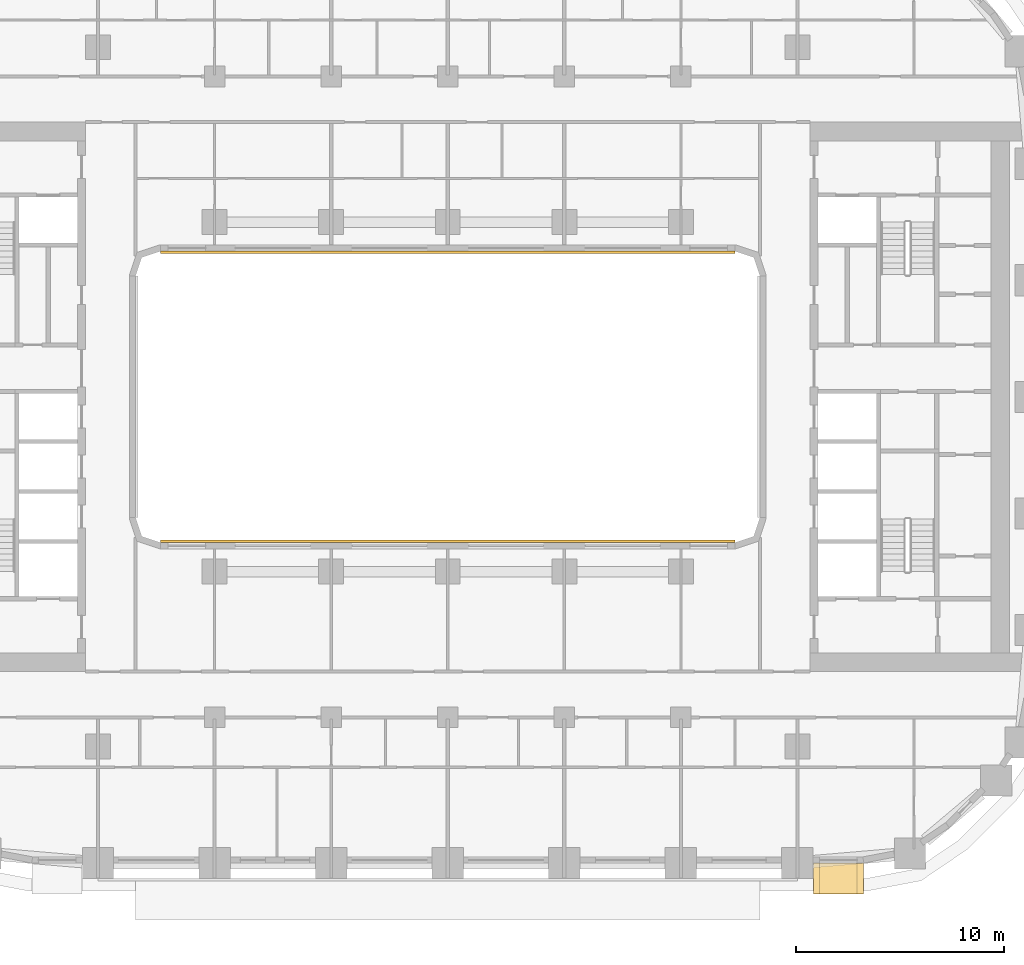
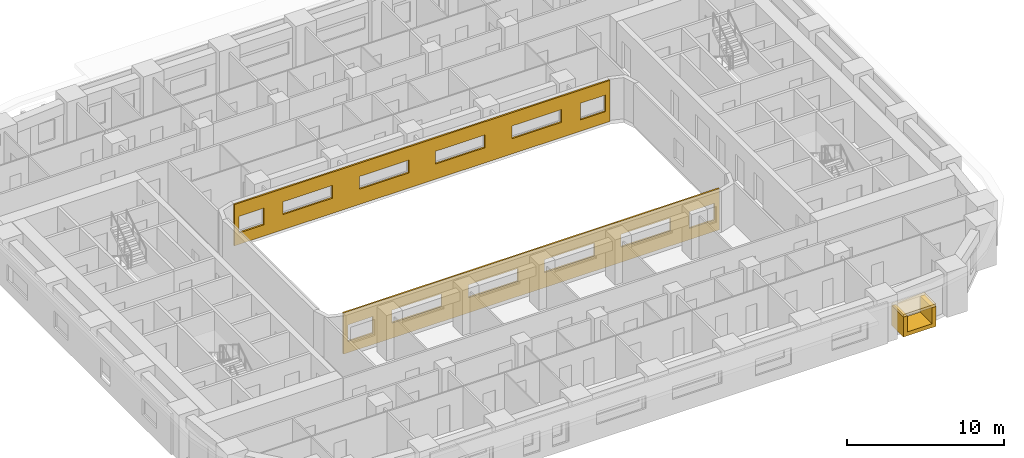
# One storey, part 16 of 22: 4 coverings.
"""IFC4 building model written with IfcOpenShell, lengths in metres."""

from ifc_helpers import new_model, si_unit, direction, frame, origin, origin_2d, place, context, subcontext, project, spatial, polyline, rectangle, outline, extrude, material, layer, layer_set, type_object, element, save


model = new_model("IFC4")

# Units and contexts
model_context = context("Model", 3, precision=1e-05, world=origin(), true_north=direction((0.0, 1.0)))
body_context = subcontext(model_context, "Body", "Model", "MODEL_VIEW")
ifc_project = project(units=[si_unit("LENGTHUNIT", "METRE"), si_unit("AREAUNIT", "SQUARE_METRE"), si_unit("VOLUMEUNIT", "CUBIC_METRE"), si_unit("PLANEANGLEUNIT", "RADIAN"), si_unit("MASSUNIT", "GRAM", prefix="KILO")], contexts=[model_context])

# Site, building, storey
site_placement = place(None, origin())
site = spatial("IfcSite", under=ifc_project, at=site_placement, CompositionType="ELEMENT")
building_placement = place(site_placement, origin())
building = spatial("IfcBuilding", under=site, at=building_placement, Name="Kiln Ring Residences", CompositionType="ELEMENT")
storey_placement = place(building_placement, frame((0.0, 0.0, 44.5)))
storey = spatial("IfcBuildingStorey", under=building, at=storey_placement, Name="L10", CompositionType="ELEMENT", Elevation=44.5)

# Coverings
ifc_material_1 = material(Name="Brick masonry, dark clay brick", Category="masonry")
ifc_layer_1 = layer(ifc_material_1, 0.300048828125)
ifc_layer_set_1 = layer_set([ifc_layer_1], Name="FRAME CHEEKS AND SILL 1500")
covering_type_1 = type_object("IfcCoveringType", Name="FRAME CHEEKS AND SILL 1500", PredefinedType="CLADDING", material=ifc_layer_set_1)
covering_1_placement = place(storey_placement, frame((17.574951171875, -23.14990234375, 0.60009765625), z_axis=(0.0, 0.0, 1.0), x_axis=(1.0, 0.0, 0.0)))
element("IfcCovering", 1, at=covering_1_placement, inside=storey, type_object=covering_type_1, Name="FRAME L10", PredefinedType="CLADDING", context=body_context, shape_type="SweptSolid", body=[
    extrude(outline(polyline([(0.0, 0.0), (2.400146484375, 0.0), (2.39990234375, 1.5498046875), (2.10107421875, 1.5498046875), (2.10009765625, 0.2998046875), (0.300048828125, 0.2998046875), (0.299072265625, 1.5498046875), (0.0, 1.5498046875), (0.0, 0.0)])), frame((0.0, 0.75, 0.0), z_axis=(0.0, -1.0, 0.0), x_axis=(1.0, 0.0, 0.0)), (0.0, 0.0, 1.0), 1.5),
])
ifc_material_2 = material(Name="Brick masonry, dark clay brick", Category="masonry")
ifc_layer_2 = layer(ifc_material_2, 0.199951171875)
ifc_layer_set_2 = layer_set([ifc_layer_2], Name="FRAME HEAD 1500")
covering_type_2 = type_object("IfcCoveringType", Name="FRAME HEAD 1500", PredefinedType="CLADDING", material=ifc_layer_set_2)
covering_2_placement = place(storey_placement, frame((18.77490234375, -23.14990234375, 2.14990234375), z_axis=(0.0, 0.0, 1.0), x_axis=(1.0, 0.0, 0.0)))
element("IfcCovering", 2, at=covering_2_placement, inside=storey, type_object=covering_type_2, Name="FRAME HEAD L10", PredefinedType="CLADDING", context=body_context, shape_type="SweptSolid", body=[
    extrude(rectangle(XDim=2.39990234375, YDim=1.5, at=origin_2d()), origin(), (0.0, 0.0, 1.0), 0.199951171875),
])
ifc_material_3 = material(Name="Brick masonry, dark clay brick", Category="masonry")
ifc_layer_3 = layer(ifc_material_3, 0.1201171875)
ifc_layer_set_3 = layer_set([ifc_layer_3], Name="RAINSCREEN PANEL 120")
covering_type_3 = type_object("IfcCoveringType", Name="RAINSCREEN PANEL 120", PredefinedType="CLADDING", material=ifc_layer_set_3)
for number, where, z_axis, x_axis, name in (
    (3, (-13.800048828125, 6.93994140625, 0.0), (0.0, 0.0, 1.0), (1.0, 0.0, 0.0), "RAINSCREEN L10"),
    (4, (13.800048828125, -6.93994140625, 0.0), (0.0, 0.0, 1.0), (-1.0, 0.0, 0.0), "RAINSCREEN L10"),
):
    element("IfcCovering", number, at=place(storey_placement, frame(where, z_axis=z_axis, x_axis=x_axis)), inside=storey, type_object=covering_type_3, Name=name, PredefinedType="CLADDING", context=body_context, shape_type="SweptSolid", body=[
        extrude(outline(polyline([(0.0, 0.0), (27.60009765625, 0.0), (27.60009765625, 3.199951171875), (0.0, 3.199951171875), (0.0, 0.0)]), holes=[polyline([(2.1826171875, 0.8798828125), (2.1826171875, 2.169921875), (0.342529296875, 2.169921875), (0.342529296875, 0.8798828125), (2.1826171875, 0.8798828125)]), polyline([(25.41748046875, 0.8798828125), (27.257568359375, 0.8798828125), (27.257568359375, 2.169921875), (25.41748046875, 2.169921875), (25.41748046875, 0.8798828125)]), polyline([(3.580078125, 1.179931640625), (7.219970703125, 1.179931640625), (7.219970703125, 2.169921875), (3.580078125, 2.169921875), (3.580078125, 1.179931640625)]), polyline([(12.820068359375, 1.179931640625), (12.820068359375, 2.169921875), (9.179931640625, 2.169921875), (9.179931640625, 1.179931640625), (12.820068359375, 1.179931640625)]), polyline([(14.780029296875, 1.179931640625), (18.419921875, 1.179931640625), (18.419921875, 2.169921875), (14.780029296875, 2.169921875), (14.780029296875, 1.179931640625)]), polyline([(20.3798828125, 1.179931640625), (24.02001953125, 1.179931640625), (24.02001953125, 2.169921875), (20.3798828125, 2.169921875), (20.3798828125, 1.179931640625)])]), frame((0.0, 0.06005859375, 0.0), z_axis=(0.0, -1.0, 0.0), x_axis=(1.0, 0.0, 0.0)), (0.0, 0.0, 1.0), 0.1201171875),
    ])

save(model, "model.ifc")
